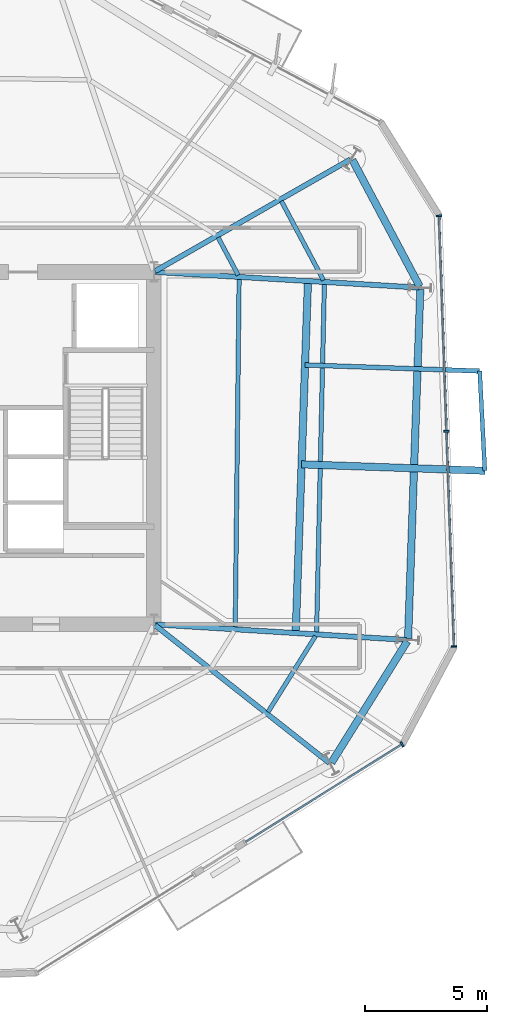
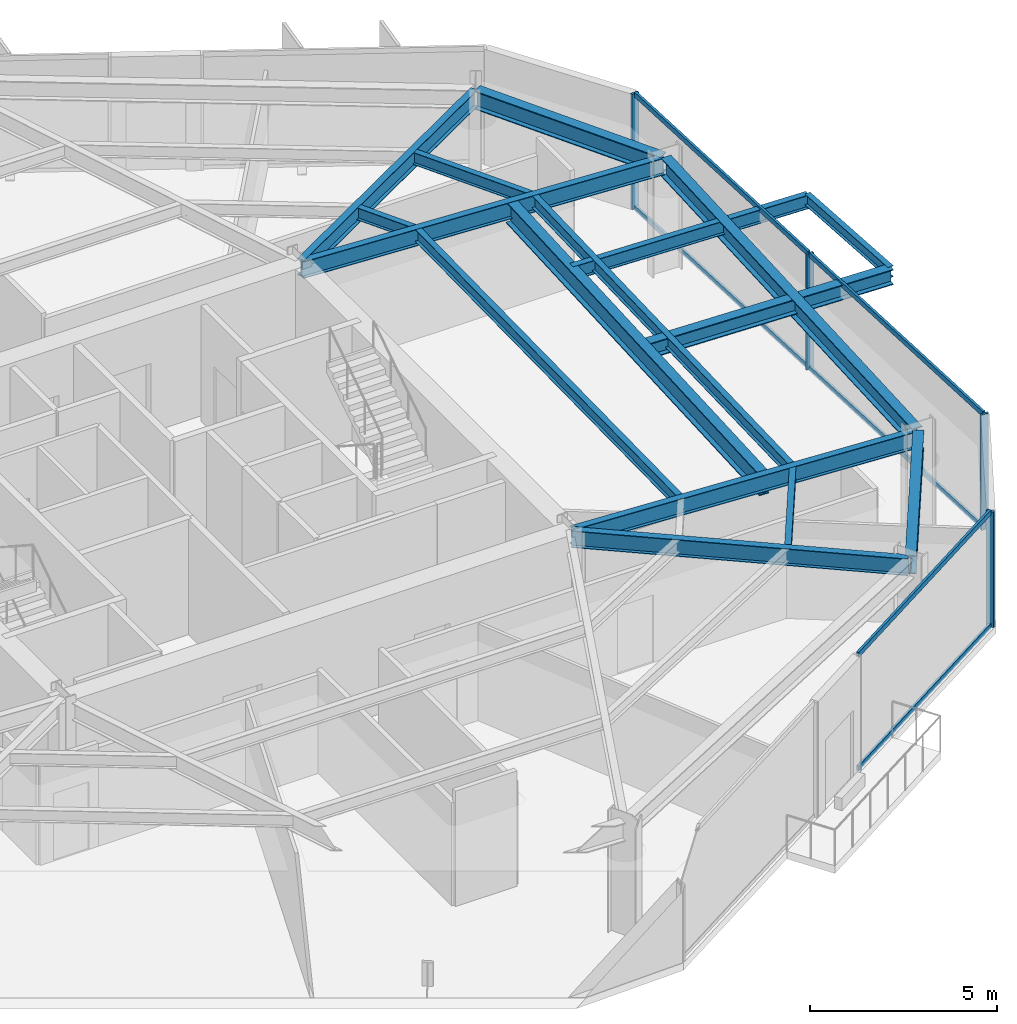
# One storey, part 4 of 12: 16 beams, 10 members, 2 elements without a shape of their own.
"""IFC4 building model written with IfcOpenShell, lengths in metres."""

import ifcopenshell
import ifcopenshell.guid

model = None  # the IFC model being written
_history = None  # IfcOwnerHistory: only IFC2X3 demands one
_inside = {}  # id of a spatial element -> (the spatial element, [elements in it])
_under = {}  # id of a project, library or spatial element -> (it, [spatial elements below it])
_declared = {}  # id of a project -> (the project, [libraries it declares])
_typed = {}  # id of a type object -> (the type object, [elements of that type])
_made_of = {}  # id of a material, layer set ... -> (it, [elements and type objects made of it])


def new_model(schema):
    """Start an empty IFC model of exactly this schema.

    Asked for "IFC4X3", IfcOpenShell would pick the latest addendum, in which some entities
    have other attributes; the version numbers below select the first issue.
    IFC2X3 requires an IfcOwnerHistory on every rooted entity: one is made here for all.
    """
    global model, _history
    if schema == "IFC4X3":
        model = ifcopenshell.file(schema_version=(4, 3, 0, 0))
    else:
        model = ifcopenshell.file(schema=schema)
    _inside.clear()
    _under.clear()
    _declared.clear()
    _typed.clear()
    _made_of.clear()
    _history = None
    if model.schema == "IFC2X3":
        org = make("IfcOrganization", Name="unknown")
        user = make(
            "IfcPersonAndOrganization",
            ThePerson=make("IfcPerson", FamilyName="unknown"),
            TheOrganization=org,
        )
        app = make(
            "IfcApplication",
            ApplicationDeveloper=org,
            Version="unknown",
            ApplicationFullName="unknown",
            ApplicationIdentifier="unknown",
        )
        _history = make(
            "IfcOwnerHistory",
            OwningUser=user,
            OwningApplication=app,
            ChangeAction="ADDED",
            CreationDate=0,
        )
    return model


def make(cls, **values):
    """One entity of the class cls with the attributes given. An attribute that is None is left unset."""
    return model.create_entity(
        cls, **{name: value for name, value in values.items() if value is not None}
    )


def rooted(cls, **values):
    """An entity with a GlobalId (a new one), such as an element, a storey or a relation."""
    return make(cls, GlobalId=ifcopenshell.guid.new(), OwnerHistory=_history, **values)


def si_unit(unit_type, name, prefix=None):
    """IfcSIUnit, for example si_unit("LENGTHUNIT", "METRE", prefix="MILLI")."""
    return make("IfcSIUnit", UnitType=unit_type, Prefix=prefix, Name=name)


def assignment(units):
    """IfcUnitAssignment: the units of a project."""
    return None if units is None else make("IfcUnitAssignment", Units=units)


def point(xyz):
    """IfcCartesianPoint."""
    return None if xyz is None else make("IfcCartesianPoint", Coordinates=xyz)


def direction(xyz):
    """IfcDirection."""
    return None if xyz is None else make("IfcDirection", DirectionRatios=xyz)


def frame(location, z_axis=None, x_axis=None):
    """IfcAxis2Placement3D, a coordinate frame: its origin and axes. An axis left out is left unset."""
    return make(
        "IfcAxis2Placement3D",
        Location=point(location),
        Axis=direction(z_axis),
        RefDirection=direction(x_axis),
    )


def frame_2d(location, x_axis=None):
    """IfcAxis2Placement2D, a coordinate frame in the plane: its origin and x axis."""
    return make(
        "IfcAxis2Placement2D", Location=point(location), RefDirection=direction(x_axis)
    )


def origin():
    """The frame at (0, 0, 0) with its axes left unset."""
    return frame((0.0, 0.0, 0.0))


def origin_2d():
    """The frame at (0, 0) in the plane with its x axis left unset."""
    return frame_2d((0.0, 0.0))


def place(relative_to, where):
    """IfcLocalPlacement: puts the frame where relative to a parent placement (None: the world)."""
    return make(
        "IfcLocalPlacement", PlacementRelTo=relative_to, RelativePlacement=where
    )


def context(
    kind, dimensions, precision=None, world=None, true_north=None, identifier=None
):
    """IfcGeometricRepresentationContext, for example the 3D "Model" context."""
    return make(
        "IfcGeometricRepresentationContext",
        ContextIdentifier=identifier,
        ContextType=kind,
        CoordinateSpaceDimension=dimensions,
        Precision=precision,
        WorldCoordinateSystem=world,
        TrueNorth=true_north,
    )


def subcontext(parent, identifier, kind, view, scale=None):
    """IfcGeometricRepresentationSubContext, for example "Body" below "Model"."""
    return make(
        "IfcGeometricRepresentationSubContext",
        ContextIdentifier=identifier,
        ContextType=kind,
        ParentContext=parent,
        TargetScale=scale,
        TargetView=view,
    )


def project(units=None, contexts=None):
    """IfcProject with its units and contexts."""
    return rooted(
        "IfcProject",
        Name="project",
        RepresentationContexts=contexts,
        UnitsInContext=assignment(units),
    )


def spatial(cls, under=None, at=None, **own):
    """A site, building, storey or space (cls), placed at a placement, below another one or the project."""
    s = rooted(cls, ObjectPlacement=at, **own)
    if under is not None:
        _under.setdefault(under.id(), (under, []))[1].append(s)
    return s


def profile(cls, at=None, kind="AREA", **sizes):
    """A parametric profile (cls). Its sizes go by their IFC names, for example OverallWidth=200.0."""
    return make(cls, ProfileType=kind, Position=at, **sizes)


def rectangle(**sizes):
    """IfcRectangleProfileDef."""
    return profile("IfcRectangleProfileDef", **sizes)


def i_section(**sizes):
    """IfcIShapeProfileDef."""
    return profile("IfcIShapeProfileDef", **sizes)


def extrude(swept, where, along, depth):
    """IfcExtrudedAreaSolid: the profile swept, set in the frame where, extruded along a direction by depth."""
    return make(
        "IfcExtrudedAreaSolid",
        SweptArea=swept,
        Position=where,
        ExtrudedDirection=direction(along),
        Depth=depth,
    )


def shape(context_of_items, identifier, shape_type, items):
    """IfcShapeRepresentation: the items that make up one representation, for example the "Body"."""
    return make(
        "IfcShapeRepresentation",
        ContextOfItems=context_of_items,
        RepresentationIdentifier=identifier,
        RepresentationType=shape_type,
        Items=items,
    )


def material(Name=None, Category=None):
    """IfcMaterial."""
    return make("IfcMaterial", Name=Name, Category=Category)


def layer(
    of_material, thickness, ventilated=None, Name=None, Category=None, Priority=None
):
    """IfcMaterialLayer: one layer of a wall or slab, of a material (None: an air gap)."""
    return make(
        "IfcMaterialLayer",
        Material=of_material,
        LayerThickness=thickness,
        IsVentilated=ventilated,
        Name=Name,
        Category=Category,
        Priority=Priority,
    )


def layer_set(layers, Name=None):
    """IfcMaterialLayerSet."""
    return make("IfcMaterialLayerSet", MaterialLayers=layers, LayerSetName=Name)


def material_profile(
    of_material, cross_section, Name=None, Category=None, Priority=None
):
    """IfcMaterialProfile: a cross section and its material."""
    return make(
        "IfcMaterialProfile",
        Name=Name,
        Material=of_material,
        Profile=cross_section,
        Priority=Priority,
        Category=Category,
    )


def profile_set(profiles, Name=None, composite=None):
    """IfcMaterialProfileSet."""
    return make(
        "IfcMaterialProfileSet",
        Name=Name,
        MaterialProfiles=profiles,
        CompositeProfile=composite,
    )


def made_of(thing, what):
    """Note that an element or type object is made of a material, layer set ...; save() writes the relation."""
    if what is not None:
        _made_of.setdefault(what.id(), (what, []))[1].append(thing)
    return thing


def type_object(cls, material=None, **own):
    """A type object (cls), such as IfcWallType, which elements share."""
    return made_of(rooted(cls, **own), material)


def element(
    cls,
    number,
    at=None,
    inside=None,
    cuts=None,
    type_object=None,
    material=None,
    context=None,
    identifier="Body",
    shape_type=None,
    held_by="IfcProductDefinitionShape",
    body=None,
    shapes=None,
    **own,
):
    """One element of the class cls, such as IfcWall. Its Tag is "e" and its number.

    at: its placement. inside: the storey or other place that contains it. cuts: it is an
    opening in that element (IfcRelVoidsElement). A single representation is given by context,
    identifier, shape_type and body (its items); several are given by shapes. held_by: the class
    of the entity that holds the representations. save() writes the other relations.
    """
    e = rooted(cls, Tag="e%d" % number, ObjectPlacement=at, **own)
    if body is not None:
        shapes = [shape(context, identifier, shape_type, body)]
    if shapes is not None:
        e.Representation = make(held_by, Representations=shapes)
    if inside is not None:
        _inside.setdefault(inside.id(), (inside, []))[1].append(e)
    if cuts is not None:
        rooted(
            "IfcRelVoidsElement", RelatingBuildingElement=cuts, RelatedOpeningElement=e
        )
    if type_object is not None:
        _typed.setdefault(type_object.id(), (type_object, []))[1].append(e)
    return made_of(e, material)


def aggregate(whole, parts):
    """IfcRelAggregates: a whole, such as a stair, and the parts it consists of."""
    return rooted("IfcRelAggregates", RelatingObject=whole, RelatedObjects=parts)


def save(model, path):
    """Write the relations noted so far, then the file.

    IfcRelAggregates (storeys below a building ...), IfcRelContainedInSpatialStructure (elements
    in a storey), IfcRelDefinesByType, IfcRelAssociatesMaterial and IfcRelDeclares: one each for
    every whole, place, type object, material and project.
    """
    for whole, parts in _under.values():
        aggregate(whole, parts)
    for where, things in _inside.values():
        rooted(
            "IfcRelContainedInSpatialStructure",
            RelatedElements=things,
            RelatingStructure=where,
        )
    for kind, things in _typed.values():
        rooted("IfcRelDefinesByType", RelatedObjects=things, RelatingType=kind)
    for what, things in _made_of.values():
        rooted("IfcRelAssociatesMaterial", RelatedObjects=things, RelatingMaterial=what)
    for by, libraries in _declared.values():
        rooted("IfcRelDeclares", RelatingContext=by, RelatedDefinitions=libraries)
    model.write(path)


model = new_model("IFC4")

# Units and contexts
model_context = context("Model", 3, precision=1e-05, world=origin(), true_north=direction((0.0, 1.0)))
body_context = subcontext(model_context, "Body", "Model", "MODEL_VIEW")
ifc_project = project(units=[si_unit("LENGTHUNIT", "METRE"), si_unit("AREAUNIT", "SQUARE_METRE"), si_unit("VOLUMEUNIT", "CUBIC_METRE"), si_unit("PLANEANGLEUNIT", "RADIAN"), si_unit("MASSUNIT", "GRAM", prefix="KILO")], contexts=[model_context])

# Site, building, storey
site_placement = place(None, origin())
site = spatial("IfcSite", under=ifc_project, at=site_placement, CompositionType="ELEMENT")
building_placement = place(site_placement, origin())
building = spatial("IfcBuilding", under=site, at=building_placement, Name="Kranzbogen Civic Tower", CompositionType="ELEMENT")
storey_placement = place(building_placement, frame((0.0, 0.0, 150.39990234375)))
storey = spatial("IfcBuildingStorey", under=building, at=storey_placement, Name="L36", CompositionType="ELEMENT", Elevation=150.39990234375)

# Beam
ifc_material_1 = material(Name="Steel S355", Category="steel")
ifc_material_profile_1 = material_profile(ifc_material_1, i_section(OverallWidth=0.18994140625, OverallDepth=0.449951171875, WebThickness=0.009521484375, FlangeThickness=0.0146484375, at=origin_2d()), Name="IPE 450")
ifc_profile_set_1 = profile_set([ifc_material_profile_1], Name="Steel S355")
beam_type_1 = type_object("IfcBeamType", Name="Braced Terrace Edge Beam IPE 450", PredefinedType="BEAM", material=ifc_profile_set_1)
beam_1_placement = place(storey_placement, frame((38.97802734375, 28.39794921875, 3.525146484375), z_axis=(0.99939166053, -0.034875619889, 0.0), x_axis=(0.034875619889, 0.99939166053, 0.0)))
element("IfcBeam", 1, at=beam_1_placement, inside=storey, type_object=beam_type_1, Name="L37 back-spanned terrace beam L37-TB2-2", PredefinedType="BEAM", context=body_context, shape_type="SweptSolid", body=[
    extrude(i_section(OverallWidth=0.18994140625, OverallDepth=0.449951171875, WebThickness=0.009521484375, FlangeThickness=0.0146484375, at=origin_2d()), origin(), (0.0, 0.0, 1.0), 7.140380859375),
])

# Curtain wall, member
ifc_material_2 = material(Name="Pale Anodised Aluminium", Category="aluminium")
ifc_layer = layer(ifc_material_2, 0.219970703125, Name="Pale Anodised Aluminium")
ifc_layer_set = layer_set([ifc_layer], Name="Pale Anodised Aluminium")
curtain_wall_type = type_object("IfcCurtainWallType", Name="Zone 2 Stick Curtain Wall System CW-03", PredefinedType="USERDEFINED", material=ifc_layer_set)
curtain_wall_1_placement = place(storey_placement, origin())
curtain_wall_1 = element("IfcCurtainWall", 2, at=curtain_wall_1_placement, inside=storey, type_object=curtain_wall_type, Name="L36 curtain wall CW-L36-F5-S2", ObjectType="STICK CURTAIN WALL", PredefinedType="USERDEFINED")
ifc_material_profile_2 = material_profile(ifc_material_2, rectangle(XDim=0.074951171875, YDim=0.219970703125, at=origin_2d()), Name="ALU-M 75x220")
ifc_profile_set_2 = profile_set([ifc_material_profile_2], Name="Pale Anodised Aluminium")
member_type_1 = type_object("IfcMemberType", Name="Curtain Wall Mullion ALU-M 75x220", PredefinedType="MULLION", material=ifc_profile_set_2)
member_1_placement = place(storey_placement, frame((42.944580078125, 12.897216796875, 0.0), z_axis=(0.0, 0.0, 1.0), x_axis=(0.848071889421, 0.529881185148, 0.0)))
member_1 = element("IfcMember", 3, at=member_1_placement, type_object=member_type_1, Name="CW-03 mullion 2", PredefinedType="MULLION", context=body_context, shape_type="SweptSolid", body=[
    extrude(rectangle(XDim=0.074951171875, YDim=0.219970703125, at=origin_2d()), origin(), (0.0, 0.0, 1.0), 3.760009765625),
])

# Curtain wall, members
curtain_wall_2_placement = place(storey_placement, origin())
curtain_wall_2 = element("IfcCurtainWall", 4, at=curtain_wall_2_placement, inside=storey, type_object=curtain_wall_type, Name="L36 curtain wall CW-L36-F6", ObjectType="STICK CURTAIN WALL", PredefinedType="USERDEFINED")
member_2_placement = place(storey_placement, frame((45.06689453125, 16.89208984375, 0.0), z_axis=(0.0, 0.0, 1.0), x_axis=(-0.034867774782, 0.999391934269, 0.0)))
member_2 = element("IfcMember", 5, at=member_2_placement, type_object=member_type_1, Name="CW-03 mullion 1", PredefinedType="MULLION", context=body_context, shape_type="SweptSolid", body=[
    extrude(rectangle(XDim=0.074951171875, YDim=0.219970703125, at=origin_2d()), origin(), (0.0, 0.0, 1.0), 3.760009765625),
])
member_3_placement = place(storey_placement, frame((44.760009765625, 25.68994140625, 0.0), z_axis=(0.0, 0.0, 1.0), x_axis=(-0.034867774782, 0.999391934269, 0.0)))
member_3 = element("IfcMember", 6, at=member_3_placement, type_object=member_type_1, Name="CW-03 mullion 2", PredefinedType="MULLION", context=body_context, shape_type="SweptSolid", body=[
    extrude(rectangle(XDim=0.074951171875, YDim=0.219970703125, at=origin_2d()), origin(), (0.0, 0.0, 1.0), 3.760009765625),
])
member_4_placement = place(storey_placement, frame((44.453125, 34.488037109375, 0.0), z_axis=(0.0, 0.0, 1.0), x_axis=(-0.034867774782, 0.999391934269, 0.0)))
member_4 = element("IfcMember", 7, at=member_4_placement, type_object=member_type_1, Name="CW-03 mullion 3", PredefinedType="MULLION", context=body_context, shape_type="SweptSolid", body=[
    extrude(rectangle(XDim=0.074951171875, YDim=0.219970703125, at=origin_2d()), origin(), (0.0, 0.0, 1.0), 3.760009765625),
])

# Member
ifc_material_profile_3 = material_profile(ifc_material_2, rectangle(XDim=0.074951171875, YDim=0.1650390625, at=origin_2d()), Name="ALU-T 75x165")
ifc_profile_set_3 = profile_set([ifc_material_profile_3], Name="Pale Anodised Aluminium")
member_type_2 = type_object("IfcMemberType", Name="Curtain Wall Transom ALU-T 75x165", PredefinedType="USERDEFINED", material=ifc_profile_set_3)
member_5_placement = place(storey_placement, frame((36.546875, 8.89990234375, 0.030029296875), z_axis=(0.84808773768, 0.529855819254, 0.0), x_axis=(-0.529855819254, 0.84808773768, 0.0)))
member_5 = element("IfcMember", 8, at=member_5_placement, type_object=member_type_2, Name="CW-03 transom 1.1", ObjectType="TRANSOM", PredefinedType="USERDEFINED", context=body_context, shape_type="SweptSolid", body=[
    extrude(rectangle(XDim=0.074951171875, YDim=0.1650390625, at=origin_2d()), origin(), (0.0, 0.0, 1.0), 7.513671875),
])

member_6_placement = place(storey_placement, frame((36.546875, 8.89990234375, 3.72998046875), z_axis=(0.84808773768, 0.529855819254, 0.0), x_axis=(-0.529855819254, 0.84808773768, 0.0)))
member_6 = element("IfcMember", 9, at=member_6_placement, type_object=member_type_2, Name="CW-03 transom 1.2", ObjectType="TRANSOM", PredefinedType="USERDEFINED", context=body_context, shape_type="SweptSolid", body=[
    extrude(rectangle(XDim=0.074951171875, YDim=0.1650390625, at=origin_2d()), origin(), (0.0, 0.0, 1.0), 7.513671875),
])

aggregate(curtain_wall_1, [member_1, member_5, member_6])

member_7_placement = place(storey_placement, frame((45.06591796875, 16.921875, 0.030029296875), z_axis=(-0.034875811675, 0.999391653837, 0.0), x_axis=(-0.999391653837, -0.034875811675, 0.0)))
member_7 = element("IfcMember", 10, at=member_7_placement, type_object=member_type_2, Name="CW-03 transom 1.1", ObjectType="TRANSOM", PredefinedType="USERDEFINED", context=body_context, shape_type="SweptSolid", body=[
    extrude(rectangle(XDim=0.074951171875, YDim=0.1650390625, at=origin_2d()), origin(), (0.0, 0.0, 1.0), 8.743408203125),
])

member_8_placement = place(storey_placement, frame((45.06591796875, 16.921875, 3.72998046875), z_axis=(-0.034875811675, 0.999391653837, 0.0), x_axis=(-0.999391653837, -0.034875811675, 0.0)))
member_8 = element("IfcMember", 11, at=member_8_placement, type_object=member_type_2, Name="CW-03 transom 1.2", ObjectType="TRANSOM", PredefinedType="USERDEFINED", context=body_context, shape_type="SweptSolid", body=[
    extrude(rectangle(XDim=0.074951171875, YDim=0.1650390625, at=origin_2d()), origin(), (0.0, 0.0, 1.0), 8.743408203125),
])

member_9_placement = place(storey_placement, frame((44.759033203125, 25.719970703125, 0.030029296875), z_axis=(-0.034875811675, 0.999391653837, 0.0), x_axis=(-0.999391653837, -0.034875811675, 0.0)))
member_9 = element("IfcMember", 12, at=member_9_placement, type_object=member_type_2, Name="CW-03 transom 2.1", ObjectType="TRANSOM", PredefinedType="USERDEFINED", context=body_context, shape_type="SweptSolid", body=[
    extrude(rectangle(XDim=0.074951171875, YDim=0.1650390625, at=origin_2d()), origin(), (0.0, 0.0, 1.0), 8.743408203125),
])

member_10_placement = place(storey_placement, frame((44.759033203125, 25.719970703125, 3.72998046875), z_axis=(-0.034875811675, 0.999391653837, 0.0), x_axis=(-0.999391653837, -0.034875811675, 0.0)))
member_10 = element("IfcMember", 13, at=member_10_placement, type_object=member_type_2, Name="CW-03 transom 2.2", ObjectType="TRANSOM", PredefinedType="USERDEFINED", context=body_context, shape_type="SweptSolid", body=[
    extrude(rectangle(XDim=0.074951171875, YDim=0.1650390625, at=origin_2d()), origin(), (0.0, 0.0, 1.0), 8.743408203125),
])

aggregate(curtain_wall_2, [member_2, member_3, member_4, member_7, member_8, member_9, member_10])

# Beams
ifc_material_profile_4 = material_profile(ifc_material_1, i_section(OverallWidth=0.300048828125, OverallDepth=0.5, WebThickness=0.014404296875, FlangeThickness=0.028076171875, at=origin_2d()), Name="HEB 500")
ifc_profile_set_4 = profile_set([ifc_material_profile_4], Name="Steel S355")
beam_type_2 = type_object("IfcBeamType", Name="Perimeter Tube Spandrel Beam HEB 500", PredefinedType="SPANDREL", material=ifc_profile_set_4)
beam_2_placement = place(storey_placement, frame((38.8369140625, 24.3359375, 3.5), z_axis=(0.999389092165, -0.034949141084, 0.0), x_axis=(0.034949141084, 0.999389092165, 0.0)))
element("IfcBeam", 14, at=beam_2_placement, inside=storey, type_object=beam_type_2, Name="L37 back-spanned terrace beam L37-TB2-1", PredefinedType="SPANDREL", context=body_context, shape_type="SweptSolid", body=[
    extrude(i_section(OverallWidth=0.300048828125, OverallDepth=0.5, WebThickness=0.014404296875, FlangeThickness=0.028076171875, at=origin_2d()), origin(), (0.0, 0.0, 1.0), 7.49560546875),
])
ifc_material_profile_5 = material_profile(ifc_material_1, i_section(OverallWidth=0.300048828125, OverallDepth=0.60009765625, WebThickness=0.015380859375, FlangeThickness=0.030029296875, at=origin_2d()), Name="HEB 600")
ifc_profile_set_5 = profile_set([ifc_material_profile_5], Name="Steel S355")
beam_type_3 = type_object("IfcBeamType", Name="Perimeter Tube Spandrel Beam HEB 600", PredefinedType="SPANDREL", material=ifc_profile_set_5)
beam_3_placement = place(storey_placement, frame((40.054931640625, 12.14306640625, 3.460205078125), z_axis=(0.529863902903, 0.848082687242, 0.0), x_axis=(-0.848082687242, 0.529863902903, 0.0)))
element("IfcBeam", 15, at=beam_3_placement, inside=storey, type_object=beam_type_3, Name="L36 perimeter spandrel beam 05", PredefinedType="SPANDREL", context=body_context, shape_type="SweptSolid", body=[
    extrude(i_section(OverallWidth=0.300048828125, OverallDepth=0.60009765625, WebThickness=0.015380859375, FlangeThickness=0.030029296875, at=origin_2d()), origin(), (0.0, 0.0, 1.0), 5.850830078125),
])
beam_4_placement = place(storey_placement, frame((43.18896484375, 17.216064453125, 3.460205078125), z_axis=(0.034924229103, 0.999389963038, 0.0), x_axis=(-0.999389963038, 0.034924229103, 0.0)))
element("IfcBeam", 16, at=beam_4_placement, inside=storey, type_object=beam_type_3, Name="L36 perimeter spandrel beam 06", PredefinedType="SPANDREL", context=body_context, shape_type="SweptSolid", body=[
    extrude(i_section(OverallWidth=0.300048828125, OverallDepth=0.60009765625, WebThickness=0.015380859375, FlangeThickness=0.030029296875, at=origin_2d()), origin(), (0.0, 0.0, 1.0), 14.288818359375),
])
beam_5_placement = place(storey_placement, frame((43.662109375, 31.60888671875, 3.460205078125), z_axis=(-0.469565926668, 0.882897412224, 0.0), x_axis=(-0.882897412224, -0.469565926668, 0.0)))
element("IfcBeam", 17, at=beam_5_placement, inside=storey, type_object=beam_type_3, Name="L36 perimeter spandrel beam 07", PredefinedType="SPANDREL", context=body_context, shape_type="SweptSolid", body=[
    extrude(i_section(OverallWidth=0.300048828125, OverallDepth=0.60009765625, WebThickness=0.015380859375, FlangeThickness=0.030029296875, at=origin_2d()), origin(), (0.0, 0.0, 1.0), 5.852294921875),
])
ifc_material_profile_6 = material_profile(ifc_material_1, i_section(OverallWidth=0.300048828125, OverallDepth=0.699951171875, WebThickness=0.01708984375, FlangeThickness=0.031982421875, at=origin_2d()), Name="HEB 700")
ifc_profile_set_6 = profile_set([ifc_material_profile_6], Name="Steel S355")
beam_type_4 = type_object("IfcBeamType", Name="Perimeter Tube Spandrel Beam HEB 700", PredefinedType="SPANDREL", material=ifc_profile_set_6)
beam_6_placement = place(storey_placement, frame((38.595947265625, 17.44091796875, 3.400146484375), z_axis=(0.034868227602, 0.99939191847, 0.0), x_axis=(-0.99939191847, 0.034868227602, 0.0)))
element("IfcBeam", 18, at=beam_6_placement, inside=storey, type_object=beam_type_4, Name="L37 balcony back-span header girder L37-TB2", PredefinedType="SPANDREL", context=body_context, shape_type="SweptSolid", body=[
    extrude(i_section(OverallWidth=0.300048828125, OverallDepth=0.699951171875, WebThickness=0.01708984375, FlangeThickness=0.031982421875, at=origin_2d()), origin(), (0.0, 0.0, 1.0), 14.395751953125),
])
ifc_material_profile_7 = material_profile(ifc_material_1, i_section(OverallWidth=0.2099609375, OverallDepth=0.550048828125, WebThickness=0.010986328125, FlangeThickness=0.01708984375, at=origin_2d()), Name="IPE 550")
ifc_profile_set_7 = profile_set([ifc_material_profile_7], Name="Steel S355")
beam_type_5 = type_object("IfcBeamType", Name="Radial Tower Floor Girder IPE 550", PredefinedType="BEAM", material=ifc_profile_set_7)
beam_7_placement = place(storey_placement, frame((39.97607421875, 12.12890625, 3.485107421875), z_axis=(-0.78457455683, 0.620034486763, 0.0), x_axis=(-0.620034486763, -0.78457455683, 0.0)))
element("IfcBeam", 19, at=beam_7_placement, inside=storey, type_object=beam_type_5, Name="L36 radial floor girder 05", PredefinedType="BEAM", context=body_context, shape_type="SweptSolid", body=[
    extrude(i_section(OverallWidth=0.2099609375, OverallDepth=0.550048828125, WebThickness=0.010986328125, FlangeThickness=0.01708984375, at=origin_2d()), origin(), (0.0, 0.0, 1.0), 9.086669921875),
])
beam_8_placement = place(storey_placement, frame((43.126953125, 17.159912109375, 3.485107421875), z_axis=(-0.998086872961, 0.061827130147, 0.0), x_axis=(-0.061827130147, -0.998086872961, 0.0)))
element("IfcBeam", 20, at=beam_8_placement, inside=storey, type_object=beam_type_5, Name="L36 radial floor girder 06", PredefinedType="BEAM", context=body_context, shape_type="SweptSolid", body=[
    extrude(i_section(OverallWidth=0.2099609375, OverallDepth=0.550048828125, WebThickness=0.010986328125, FlangeThickness=0.01708984375, at=origin_2d()), origin(), (0.0, 0.0, 1.0), 10.28662109375),
])
beam_9_placement = place(storey_placement, frame((43.6298828125, 31.56005859375, 3.485107421875), z_axis=(-0.998260925387, 0.058950189528, 0.0), x_axis=(-0.058950189528, -0.998260925387, 0.0)))
element("IfcBeam", 21, at=beam_9_placement, inside=storey, type_object=beam_type_5, Name="L36 radial floor girder 07", PredefinedType="BEAM", context=body_context, shape_type="SweptSolid", body=[
    extrude(i_section(OverallWidth=0.2099609375, OverallDepth=0.550048828125, WebThickness=0.010986328125, FlangeThickness=0.01708984375, at=origin_2d()), origin(), (0.0, 0.0, 1.0), 10.78857421875),
])
beam_10_placement = place(storey_placement, frame((40.833984375, 36.799072265625, 3.485107421875), z_axis=(-0.867868812182, -0.496793442833, 0.0), x_axis=(0.496793442833, -0.867868812182, 0.0)))
element("IfcBeam", 22, at=beam_10_placement, inside=storey, type_object=beam_type_5, Name="L36 radial floor girder 08", PredefinedType="BEAM", context=body_context, shape_type="SweptSolid", body=[
    extrude(i_section(OverallWidth=0.2099609375, OverallDepth=0.550048828125, WebThickness=0.010986328125, FlangeThickness=0.01708984375, at=origin_2d()), origin(), (0.0, 0.0, 1.0), 9.197265625),
])
ifc_material_profile_8 = material_profile(ifc_material_1, i_section(OverallWidth=0.169921875, OverallDepth=0.360107421875, WebThickness=0.008056640625, FlangeThickness=0.0126953125, at=origin_2d()), Name="IPE 360")
ifc_profile_set_8 = profile_set([ifc_material_profile_8], Name="Steel S355")
beam_type_6 = type_object("IfcBeamType", Name="Secondary Composite Floor Joist IPE 360", PredefinedType="JOIST", material=ifc_profile_set_8)
beam_11_placement = place(storey_placement, frame((46.327880859375, 24.073974609375, 3.570068359375), z_axis=(-0.052411240412, 0.998625586433, 0.0), x_axis=(-0.998625586433, -0.052411240412, 0.0)))
element("IfcBeam", 23, at=beam_11_placement, inside=storey, type_object=beam_type_6, Name="L37 terrace outer edge trimmer L37-TB2", PredefinedType="JOIST", context=body_context, shape_type="SweptSolid", body=[
    extrude(i_section(OverallWidth=0.169921875, OverallDepth=0.360107421875, WebThickness=0.008056640625, FlangeThickness=0.0126953125, at=origin_2d()), origin(), (0.0, 0.0, 1.0), 4.08056640625),
])
ifc_material_profile_9 = material_profile(ifc_material_1, i_section(OverallWidth=0.179931640625, OverallDepth=0.39990234375, WebThickness=0.008544921875, FlangeThickness=0.013427734375, at=origin_2d()), Name="IPE 400")
ifc_profile_set_9 = profile_set([ifc_material_profile_9], Name="Steel S355")
beam_type_7 = type_object("IfcBeamType", Name="Secondary Composite Floor Joist IPE 400", PredefinedType="JOIST", material=ifc_profile_set_9)
beam_12_placement = place(storey_placement, frame((37.465087890625, 14.215087890625, 3.56005859375), z_axis=(0.529867065107, 0.848080711557, 0.0), x_axis=(-0.848080711557, 0.529867065107, 0.0)))
element("IfcBeam", 24, at=beam_12_placement, inside=storey, type_object=beam_type_7, Name="L36 secondary floor joist 1.05", PredefinedType="JOIST", context=body_context, shape_type="SweptSolid", body=[
    extrude(i_section(OverallWidth=0.179931640625, OverallDepth=0.39990234375, WebThickness=0.008544921875, FlangeThickness=0.013427734375, at=origin_2d()), origin(), (0.0, 0.0, 1.0), 3.6611328125),
])
beam_13_placement = place(storey_placement, frame((39.448974609375, 17.468017578125, 3.56005859375), z_axis=(0.022402523442, 0.999749031979, 0.0), x_axis=(-0.999749031979, 0.022402523442, 0.0)))
element("IfcBeam", 25, at=beam_13_placement, inside=storey, type_object=beam_type_7, Name="L36 secondary floor joist 1.06", PredefinedType="JOIST", context=body_context, shape_type="SweptSolid", body=[
    extrude(i_section(OverallWidth=0.179931640625, OverallDepth=0.39990234375, WebThickness=0.008544921875, FlangeThickness=0.013427734375, at=origin_2d()), origin(), (0.0, 0.0, 1.0), 14.24365234375),
])
beam_14_placement = place(storey_placement, frame((36.125, 17.674072265625, 3.56005859375), z_axis=(0.011160516663, 0.999937719494, 0.0), x_axis=(-0.999937719494, 0.011160516663, 0.0)))
element("IfcBeam", 26, at=beam_14_placement, inside=storey, type_object=beam_type_7, Name="L36 secondary floor joist 2.06", PredefinedType="JOIST", context=body_context, shape_type="SweptSolid", body=[
    extrude(i_section(OverallWidth=0.179931640625, OverallDepth=0.39990234375, WebThickness=0.008544921875, FlangeThickness=0.013427734375, at=origin_2d()), origin(), (0.0, 0.0, 1.0), 14.240966796875),
])
beam_15_placement = place(storey_placement, frame((39.73193359375, 31.85791015625, 3.56005859375), z_axis=(-0.469338791783, 0.88301817565, 0.0), x_axis=(-0.88301817565, -0.469338791783, 0.0)))
element("IfcBeam", 27, at=beam_15_placement, inside=storey, type_object=beam_type_7, Name="L36 secondary floor joist 1.07", PredefinedType="JOIST", context=body_context, shape_type="SweptSolid", body=[
    extrude(i_section(OverallWidth=0.179931640625, OverallDepth=0.39990234375, WebThickness=0.008544921875, FlangeThickness=0.013427734375, at=origin_2d()), origin(), (0.0, 0.0, 1.0), 3.66259765625),
])
beam_16_placement = place(storey_placement, frame((36.2470703125, 32.06494140625, 3.56005859375), z_axis=(-0.46943723363, 0.882965845139, 0.0), x_axis=(-0.882965845139, -0.46943723363, 0.0)))
element("IfcBeam", 28, at=beam_16_placement, inside=storey, type_object=beam_type_7, Name="L36 secondary floor joist 2.07", PredefinedType="JOIST", context=body_context, shape_type="SweptSolid", body=[
    extrude(i_section(OverallWidth=0.179931640625, OverallDepth=0.39990234375, WebThickness=0.008544921875, FlangeThickness=0.013427734375, at=origin_2d()), origin(), (0.0, 0.0, 1.0), 1.7509765625),
])

save(model, "model.ifc")
